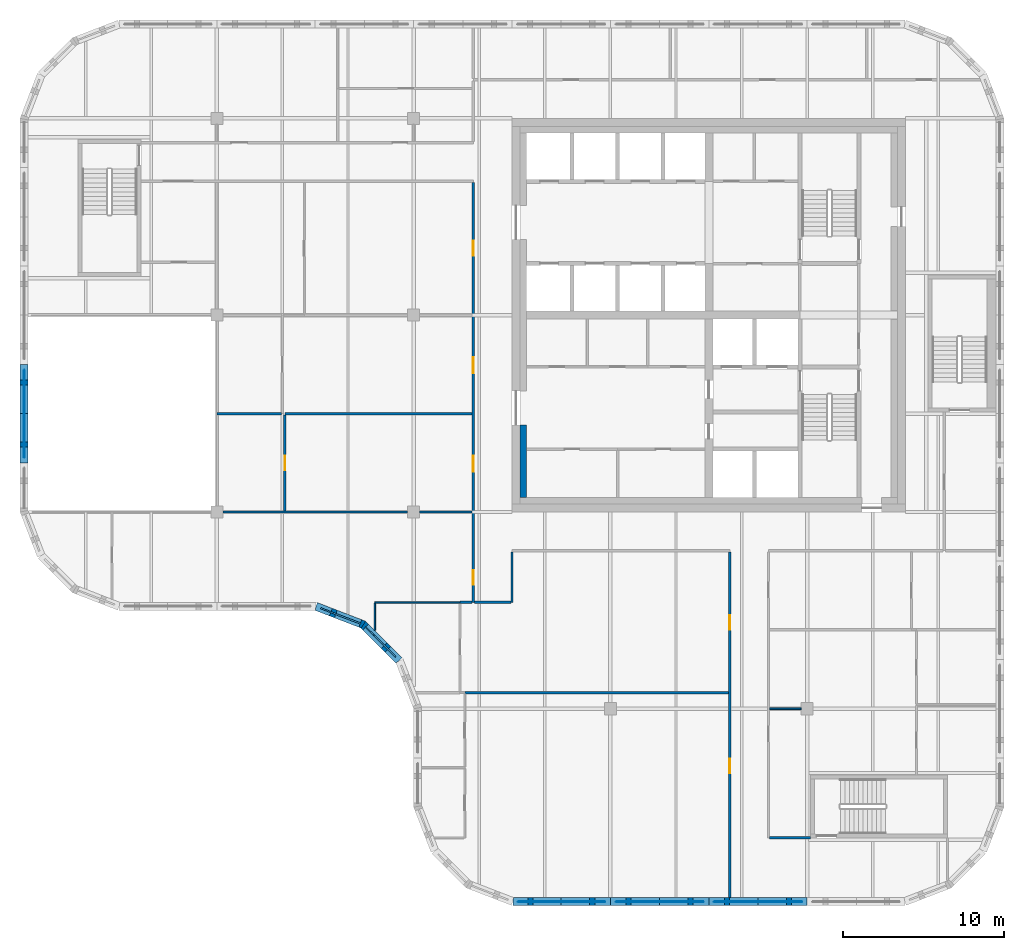
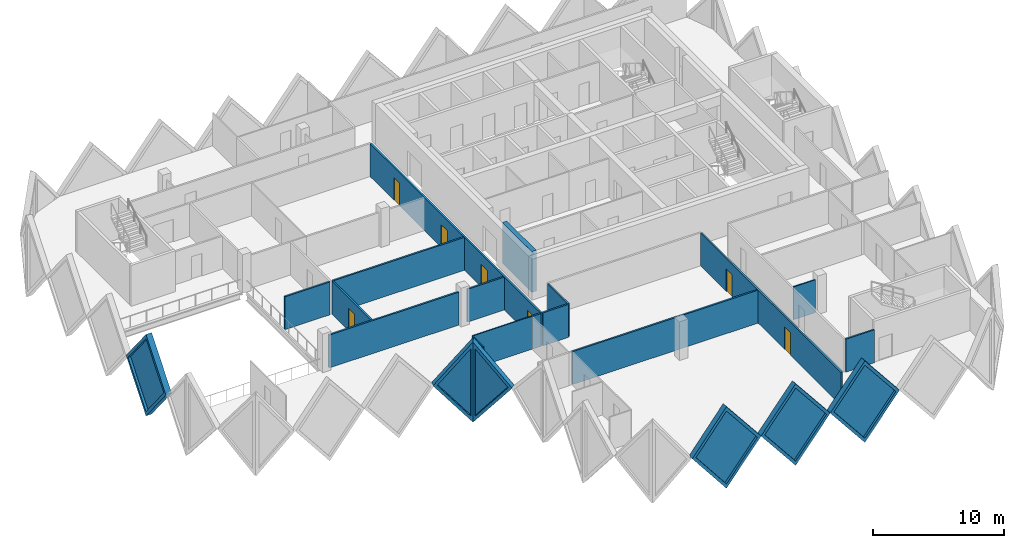
# One storey, part 4 of 12: 22 walls, 7 doors, 6 plates, 13 openings.
"""IFC4 building model written with IfcOpenShell, lengths in metres."""

from ifc_helpers import new_model, si_unit, direction, frame, frame_2d, origin, place, context, subcontext, project, spatial, polyline, rectangle, outline, extrude, faceted_brep, source, transform, mapped, material, layer, layer_set, type_object, element, fill, save


model = new_model("IFC4")

# Units and contexts
model_context = context("Model", 3, precision=1e-05, world=origin(), true_north=direction((0.0, 1.0)))
body_context = subcontext(model_context, "Body", "Model", "MODEL_VIEW")
ifc_project = project(units=[si_unit("LENGTHUNIT", "METRE"), si_unit("AREAUNIT", "SQUARE_METRE"), si_unit("VOLUMEUNIT", "CUBIC_METRE"), si_unit("PLANEANGLEUNIT", "RADIAN"), si_unit("MASSUNIT", "GRAM", prefix="KILO")], contexts=[model_context])

# Site, building, storey
site_placement = place(None, origin())
site = spatial("IfcSite", under=ifc_project, at=site_placement, CompositionType="ELEMENT")
building_placement = place(site_placement, origin())
building = spatial("IfcBuilding", under=site, at=building_placement, Name="Tessera Gate Towers", CompositionType="ELEMENT")
storey_placement = place(building_placement, frame((0.0, 0.0, 216.89990234375)))
storey = spatial("IfcBuildingStorey", under=building, at=storey_placement, Name="L54", CompositionType="ELEMENT", Elevation=216.89990234375)

# Wall
ifc_material_1 = material(Name="Concrete C50/60", Category="concrete")
ifc_layer_1 = layer(ifc_material_1, 0.39990234375)
ifc_layer_set_1 = layer_set([ifc_layer_1], Name="CORE WALL THICKENING 400")
wall_type_1 = type_object("IfcWallType", Name="CORE WALL THICKENING 400", PredefinedType="SOLIDWALL", material=ifc_layer_set_1)
wall_1_placement = place(storey_placement, frame((31.199951171875, 25.300048828125, 0.0), z_axis=(0.0, 0.0, 1.0), x_axis=(0.0, 1.0, 0.0)))
element("IfcWall", 1, at=wall_1_placement, inside=storey, type_object=wall_type_1, Name="Core wall thickening W L54", PredefinedType="SOLIDWALL", context=body_context, shape_type="SweptSolid", body=[
    extrude(rectangle(XDim=4.5, YDim=0.39990234375, at=frame_2d((2.25, 0.0))), origin(), (0.0, 0.0, 1.0), 3.800048828125),
])

# Wall, openings, doors
ifc_material_2 = material(Name="Gypsum board on steel studs, mineral wool", Category="steel")
ifc_layer_2 = layer(ifc_material_2, 0.14990234375)
ifc_layer_set_2 = layer_set([ifc_layer_2], Name="CORRIDOR WALL 150")
wall_type_2 = type_object("IfcWallType", Name="CORRIDOR WALL 150", PredefinedType="PARTITIONING", material=ifc_layer_set_2)
wall_2_placement = place(storey_placement, frame((44.0, 0.5, 0.0), z_axis=(0.0, 0.0, 1.0), x_axis=(0.0, 1.0, 0.0)))
wall_2 = element("IfcWall", 2, at=wall_2_placement, inside=storey, type_object=wall_type_2, Name="T1-L54-PW-001", PredefinedType="PARTITIONING", context=body_context, shape_type="SweptSolid", body=[
    extrude(rectangle(XDim=21.424072265625, YDim=0.14990234375, at=frame_2d((10.7119140625, 0.0))), origin(), (0.0, 0.0, 1.0), 3.067138671875),
])
shared_shape_1 = source(origin(), body_context, "Body", "SweptSolid", [
    extrude(rectangle(XDim=0.89990234375, YDim=2.10009765625, at=frame_2d((0.449951171875, 1.050048828125))), frame((0.0, 0.0849609375, 0.0), z_axis=(0.0, -1.0, 0.0), x_axis=(1.0, 0.0, 0.0)), (0.0, 0.0, 1.0), 0.169921875),
])
opening_1_placement = place(wall_2_placement, frame((16.60107421875, 0.0, 0.0)))
opening_1 = element("IfcOpeningElement", 3, at=opening_1_placement, cuts=wall_2, Name="Opening D890FD60-A19-07", PredefinedType="OPENING", context=body_context, shape_type="MappedRepresentation", body=[
    mapped(shared_shape_1, transform((0.0, 0.0, 0.0), scale=1.0)),
])
opening_2_placement = place(wall_2_placement, frame((7.699951171875, 0.0, 0.0)))
opening_2 = element("IfcOpeningElement", 4, at=opening_2_placement, cuts=wall_2, Name="Opening D890FD60-A19-08", PredefinedType="OPENING", context=body_context, shape_type="MappedRepresentation", body=[
    mapped(shared_shape_1, transform((0.0, 0.0, 0.0), scale=1.0)),
])
ifc_material_3 = material(Name="Timber door leaf in steel frame", Category="steel")
door_type_1 = type_object("IfcDoorType", Name="CORRIDOR DOOR 900 FD60", OperationType="NOTDEFINED", PredefinedType="DOOR", material=ifc_material_3)
shared_shape_2 = source(origin(), body_context, "Body", "SweptSolid", [
    extrude(rectangle(XDim=0.89990234375, YDim=2.10009765625, at=frame_2d((0.449951171875, 1.050048828125))), frame((0.0, 0.02490234375, 0.0), z_axis=(0.0, -1.0, 0.0), x_axis=(1.0, 0.0, 0.0)), (0.0, 0.0, 1.0), 0.050048828125),
])
door_1_placement = place(opening_1_placement, origin())
door_1 = element("IfcDoor", 5, at=door_1_placement, inside=storey, type_object=door_type_1, Name="T1-L54-PD-022", OperationType="SINGLE_SWING_LEFT", OverallHeight=2.10009765625, OverallWidth=0.89990234375, PredefinedType="DOOR", context=body_context, shape_type="MappedRepresentation", body=[
    mapped(shared_shape_2, transform((0.0, 0.0, 0.0), scale=1.0)),
])
fill(opening_1, door_1)
door_2_placement = place(opening_2_placement, origin())
door_2 = element("IfcDoor", 6, at=door_2_placement, inside=storey, type_object=door_type_1, Name="T1-L54-PD-023", OperationType="SINGLE_SWING_LEFT", OverallHeight=2.10009765625, OverallWidth=0.89990234375, PredefinedType="DOOR", context=body_context, shape_type="MappedRepresentation", body=[
    mapped(shared_shape_2, transform((0.0, 0.0, 0.0), scale=1.0)),
])
fill(opening_2, door_2)

# Wall
wall_3_placement = place(storey_placement, frame((46.47607421875, 4.199951171875, 0.0), z_axis=(0.0, 0.0, 1.0), x_axis=(1.0, 0.0, 0.0)))
element("IfcWall", 7, at=wall_3_placement, inside=storey, type_object=wall_type_2, Name="T1-L54-PW-006", PredefinedType="PARTITIONING", context=body_context, shape_type="SweptSolid", body=[
    extrude(rectangle(XDim=2.52392578125, YDim=0.14990234375, at=frame_2d((1.261962890625, 0.0))), origin(), (0.0, 0.0, 1.0), 3.067138671875),
])

# Wall, openings, doors
wall_4_placement = place(storey_placement, frame((28.10009765625, 18.800048828125, 0.0), z_axis=(0.0, 0.0, 1.0), x_axis=(0.0, 1.0, 0.0)))
wall_4 = element("IfcWall", 8, at=wall_4_placement, inside=storey, type_object=wall_type_2, Name="T1-L54-PW-024", PredefinedType="PARTITIONING", context=body_context, shape_type="SweptSolid", body=[
    extrude(rectangle(XDim=26.02392578125, YDim=0.14990234375, at=frame_2d((13.011962890625, 0.0))), origin(), (0.0, 0.0, 1.0), 3.067138671875),
])
opening_3_placement = place(wall_4_placement, frame((1.10009765625, 0.0, 0.0)))
opening_3 = element("IfcOpeningElement", 9, at=opening_3_placement, cuts=wall_4, Name="Opening D890FD60-A19-01", PredefinedType="OPENING", context=body_context, shape_type="MappedRepresentation", body=[
    mapped(shared_shape_1, transform((0.0, 0.0, 0.0), scale=1.0)),
])
shared_shape_3 = source(origin(), body_context, "Body", "SweptSolid", [
    extrude(rectangle(XDim=1.0, YDim=2.10009765625, at=frame_2d((0.5, 1.050048828125))), frame((0.0, 0.0849609375, 0.0), z_axis=(0.0, -1.0, 0.0), x_axis=(1.0, 0.0, 0.0)), (0.0, 0.0, 1.0), 0.169921875),
])
opening_4_placement = place(wall_4_placement, frame((14.200927734375, 0.0, 0.0)))
opening_4 = element("IfcOpeningElement", 10, at=opening_4_placement, cuts=wall_4, Name="Opening D2100FD60-A19-01", PredefinedType="OPENING", context=body_context, shape_type="MappedRepresentation", body=[
    mapped(shared_shape_3, transform((0.0, 0.0, 0.0), scale=1.0)),
])
opening_5_placement = place(wall_4_placement, frame((8.10009765625, 0.0, 0.0)))
opening_5 = element("IfcOpeningElement", 11, at=opening_5_placement, cuts=wall_4, Name="Opening D2100FD60-A19-02", PredefinedType="OPENING", context=body_context, shape_type="MappedRepresentation", body=[
    mapped(shared_shape_3, transform((0.0, 0.0, 0.0), scale=1.0)),
])
opening_6_placement = place(wall_4_placement, frame((21.5, 0.0, 0.0)))
opening_6 = element("IfcOpeningElement", 12, at=opening_6_placement, cuts=wall_4, Name="Opening D890FD60-A19-04", PredefinedType="OPENING", context=body_context, shape_type="MappedRepresentation", body=[
    mapped(shared_shape_1, transform((0.0, 0.0, 0.0), scale=1.0)),
])
door_3_placement = place(opening_3_placement, origin())
door_3 = element("IfcDoor", 13, at=door_3_placement, inside=storey, type_object=door_type_1, Name="T1-L54-PD-001", OperationType="SINGLE_SWING_LEFT", OverallHeight=2.10009765625, OverallWidth=0.89990234375, PredefinedType="DOOR", context=body_context, shape_type="MappedRepresentation", body=[
    mapped(shared_shape_2, transform((0.0, 0.0, 0.0), scale=1.0)),
])
fill(opening_3, door_3)
door_4_placement = place(opening_6_placement, origin())
door_4 = element("IfcDoor", 14, at=door_4_placement, inside=storey, type_object=door_type_1, Name="T1-L54-PD-018", OperationType="SINGLE_SWING_LEFT", OverallHeight=2.10009765625, OverallWidth=0.89990234375, PredefinedType="DOOR", context=body_context, shape_type="MappedRepresentation", body=[
    mapped(shared_shape_2, transform((0.0, 0.0, 0.0), scale=1.0)),
])
fill(opening_6, door_4)
ifc_material_4 = material(Name="Timber door leaf in steel frame", Category="steel")
door_type_2 = type_object("IfcDoorType", Name="TENANCY ENTRANCE DOOR 1000 FD60", OperationType="NOTDEFINED", PredefinedType="DOOR", material=ifc_material_4)
shared_shape_4 = source(origin(), body_context, "Body", "SweptSolid", [
    extrude(rectangle(XDim=1.0, YDim=2.10009765625, at=frame_2d((0.5, 1.050048828125))), frame((0.0, 0.02490234375, 0.0), z_axis=(0.0, -1.0, 0.0), x_axis=(1.0, 0.0, 0.0)), (0.0, 0.0, 1.0), 0.050048828125),
])
door_5_placement = place(opening_4_placement, origin())
door_5 = element("IfcDoor", 15, at=door_5_placement, inside=storey, type_object=door_type_2, Name="T1-L54-PD-012", OperationType="SINGLE_SWING_LEFT", OverallHeight=2.10009765625, OverallWidth=1.0, PredefinedType="DOOR", context=body_context, shape_type="MappedRepresentation", body=[
    mapped(shared_shape_4, transform((0.0, 0.0, 0.0), scale=1.0)),
])
fill(opening_4, door_5)
door_6_placement = place(opening_5_placement, origin())
door_6 = element("IfcDoor", 16, at=door_6_placement, inside=storey, type_object=door_type_2, Name="T1-L54-PD-013", OperationType="SINGLE_SWING_LEFT", OverallHeight=2.10009765625, OverallWidth=1.0, PredefinedType="DOOR", context=body_context, shape_type="MappedRepresentation", body=[
    mapped(shared_shape_4, transform((0.0, 0.0, 0.0), scale=1.0)),
])
fill(opening_5, door_6)

# Walls
wall_5_placement = place(storey_placement, frame((28.176025390625, 18.800048828125, 0.0), z_axis=(0.0, 0.0, 1.0), x_axis=(1.0, 0.0, 0.0)))
element("IfcWall", 17, at=wall_5_placement, inside=storey, type_object=wall_type_2, Name="T1-L54-PW-025", PredefinedType="PARTITIONING", context=body_context, shape_type="SweptSolid", body=[
    extrude(rectangle(XDim=2.248046875, YDim=0.14990234375, at=frame_2d((1.1240234375, 0.0))), origin(), (0.0, 0.0, 1.0), 3.067138671875),
])
wall_6_placement = place(storey_placement, frame((30.5, 18.800048828125, 0.0), z_axis=(0.0, 0.0, 1.0), x_axis=(0.0, 1.0, 0.0)))
element("IfcWall", 18, at=wall_6_placement, inside=storey, type_object=wall_type_2, Name="T1-L54-PW-026", PredefinedType="PARTITIONING", context=body_context, shape_type="SweptSolid", body=[
    extrude(rectangle(XDim=3.1240234375, YDim=0.14990234375, at=frame_2d((1.56201171875, 0.0))), origin(), (0.0, 0.0, 1.0), 3.067138671875),
])
ifc_material_5 = material(Name="Glass", Category="glass")
ifc_layer_3 = layer(ifc_material_5, 0.10009765625)
ifc_layer_set_3 = layer_set([ifc_layer_3], Name="GLAZED PARTITION 100")
wall_type_3 = type_object("IfcWallType", Name="GLAZED PARTITION 100", PredefinedType="PARTITIONING", material=ifc_layer_set_3)
wall_7_placement = place(storey_placement, frame((22.0, 17.054931640625, 0.0), z_axis=(0.0, 0.0, 1.0), x_axis=(0.0, 1.0, 0.0)))
element("IfcWall", 19, at=wall_7_placement, inside=storey, type_object=wall_type_3, Name="T1-L54-PW-017", PredefinedType="PARTITIONING", context=body_context, shape_type="SweptSolid", body=[
    extrude(rectangle(XDim=1.694091796875, YDim=0.10009765625, at=frame_2d((0.84716796875, 0.0))), origin(), (0.0, 0.0, 1.0), 3.067138671875),
])
wall_8_placement = place(storey_placement, frame((22.0, 18.800048828125, 0.0), z_axis=(0.0, 0.0, 1.0), x_axis=(1.0, 0.0, 0.0)))
element("IfcWall", 20, at=wall_8_placement, inside=storey, type_object=wall_type_3, Name="T1-L54-PW-022", PredefinedType="PARTITIONING", context=body_context, shape_type="SweptSolid", body=[
    extrude(rectangle(XDim=5.27392578125, YDim=0.10009765625, at=frame_2d((2.636962890625, 0.0))), origin(), (0.0, 0.0, 1.0), 3.067138671875),
])
ifc_material_6 = material(Name="Gypsum board on steel studs", Category="steel")
ifc_layer_4 = layer(ifc_material_6, 0.10009765625)
ifc_layer_set_4 = layer_set([ifc_layer_4], Name="PARTITION 100")
wall_type_4 = type_object("IfcWallType", Name="PARTITION 100", PredefinedType="PARTITIONING", material=ifc_layer_set_4)
wall_9_placement = place(storey_placement, frame((48.425048828125, 12.199951171875, 0.0), z_axis=(0.0, 0.0, 1.0), x_axis=(-1.0, 0.0, 0.0)))
element("IfcWall", 21, at=wall_9_placement, inside=storey, type_object=wall_type_4, Name="T1-L54-PW-010", PredefinedType="PARTITIONING", context=body_context, shape_type="SweptSolid", body=[
    extrude(rectangle(XDim=1.949951171875, YDim=0.10009765625, at=frame_2d((0.97509765625, 0.0))), origin(), (0.0, 0.0, 1.0), 3.067138671875),
])
ifc_material_7 = material(Name="Gypsum board on steel studs, mineral wool", Category="steel")
ifc_layer_5 = layer(ifc_material_7, 0.14990234375)
ifc_layer_set_5 = layer_set([ifc_layer_5], Name="TENANCY WALL 150")
wall_type_5 = type_object("IfcWallType", Name="TENANCY WALL 150", PredefinedType="PARTITIONING", material=ifc_layer_set_5)
wall_10_placement = place(storey_placement, frame((27.574951171875, 13.199951171875, 0.0), z_axis=(0.0, 0.0, 1.0), x_axis=(1.0, 0.0, 0.0)))
element("IfcWall", 22, at=wall_10_placement, inside=storey, type_object=wall_type_5, Name="T1-L54-PW-015", PredefinedType="PARTITIONING", context=body_context, shape_type="SweptSolid", body=[
    extrude(rectangle(XDim=16.34912109375, YDim=0.14990234375, at=frame_2d((8.174560546875, 0.0))), origin(), (0.0, 0.0, 1.0), 3.067138671875),
])
wall_11_placement = place(storey_placement, frame((27.27490234375, 18.800048828125, 0.0), z_axis=(0.0, 0.0, 1.0), x_axis=(1.0, 0.0, 0.0)))
element("IfcWall", 23, at=wall_11_placement, inside=storey, type_object=wall_type_5, Name="T1-L54-PW-023", PredefinedType="PARTITIONING", context=body_context, shape_type="SweptSolid", body=[
    extrude(rectangle(XDim=0.7490234375, YDim=0.14990234375, at=frame_2d((0.37451171875, 0.0))), origin(), (0.0, 0.0, 1.0), 3.067138671875),
])
wall_12_placement = place(storey_placement, frame((12.575927734375, 24.39990234375, 0.0), z_axis=(0.0, 0.0, 1.0), x_axis=(1.0, 0.0, 0.0)))
element("IfcWall", 24, at=wall_12_placement, inside=storey, type_object=wall_type_5, Name="T1-L54-PW-032", PredefinedType="PARTITIONING", context=body_context, shape_type="SweptSolid", body=[
    extrude(rectangle(XDim=11.447998046875, YDim=0.14990234375, at=frame_2d((5.72412109375, 0.0))), origin(), (0.0, 0.0, 1.0), 3.067138671875),
])
wall_13_placement = place(storey_placement, frame((24.77587890625, 24.39990234375, 0.0), z_axis=(0.0, 0.0, 1.0), x_axis=(1.0, 0.0, 0.0)))
element("IfcWall", 25, at=wall_13_placement, inside=storey, type_object=wall_type_5, Name="T1-L54-PW-033", PredefinedType="PARTITIONING", context=body_context, shape_type="SweptSolid", body=[
    extrude(rectangle(XDim=3.248046875, YDim=0.14990234375, at=frame_2d((1.6240234375, 0.0))), origin(), (0.0, 0.0, 1.0), 3.067138671875),
])

# Wall, opening, door
wall_14_placement = place(storey_placement, frame((16.425048828125, 24.47607421875, 0.0), z_axis=(0.0, 0.0, 1.0), x_axis=(0.0, 1.0, 0.0)))
wall_14 = element("IfcWall", 26, at=wall_14_placement, inside=storey, type_object=wall_type_5, Name="T1-L54-PW-034", PredefinedType="PARTITIONING", context=body_context, shape_type="SweptSolid", body=[
    extrude(rectangle(XDim=5.947998046875, YDim=0.14990234375, at=frame_2d((2.97412109375, 0.0))), origin(), (0.0, 0.0, 1.0), 3.067138671875),
])
opening_7_placement = place(wall_14_placement, frame((2.5, 0.0, 0.0)))
opening_7 = element("IfcOpeningElement", 27, at=opening_7_placement, cuts=wall_14, Name="Opening D190-A19-04", PredefinedType="OPENING", context=body_context, shape_type="MappedRepresentation", body=[
    mapped(shared_shape_1, transform((0.0, 0.0, 0.0), scale=1.0)),
])
ifc_material_8 = material(Name="Timber door leaf in steel frame", Category="steel")
door_type_3 = type_object("IfcDoorType", Name="INTERNAL DOOR 900 NOT RATED", OperationType="NOTDEFINED", PredefinedType="DOOR", material=ifc_material_8)
door_7_placement = place(opening_7_placement, origin())
door_7 = element("IfcDoor", 28, at=door_7_placement, inside=storey, type_object=door_type_3, Name="T1-L54-PD-011", OperationType="SINGLE_SWING_LEFT", OverallHeight=2.10009765625, OverallWidth=0.89990234375, PredefinedType="DOOR", context=body_context, shape_type="MappedRepresentation", body=[
    mapped(shared_shape_2, transform((0.0, 0.0, 0.0), scale=1.0)),
])
fill(opening_7, door_7)

# Walls
wall_15_placement = place(storey_placement, frame((12.199951171875, 30.5, 0.0), z_axis=(0.0, 0.0, 1.0), x_axis=(1.0, 0.0, 0.0)))
element("IfcWall", 29, at=wall_15_placement, inside=storey, type_object=wall_type_5, Name="T1-L54-PW-035", PredefinedType="PARTITIONING", context=body_context, shape_type="SweptSolid", body=[
    extrude(rectangle(XDim=3.9990234375, YDim=0.14990234375, at=frame_2d((1.99951171875, 0.0))), origin(), (0.0, 0.0, 1.0), 3.067138671875),
])
wall_16_placement = place(storey_placement, frame((16.425048828125, 30.5, 0.0), z_axis=(0.0, 0.0, 1.0), x_axis=(1.0, 0.0, 0.0)))
element("IfcWall", 30, at=wall_16_placement, inside=storey, type_object=wall_type_5, Name="T1-L54-PW-037", PredefinedType="PARTITIONING", context=body_context, shape_type="SweptSolid", body=[
    extrude(rectangle(XDim=11.598876953125, YDim=0.14990234375, at=frame_2d((5.79931640625, 0.0))), origin(), (0.0, 0.0, 1.0), 3.067138671875),
])

# Wall, opening, plate
ifc_material_9 = material(Name="Precast concrete C60/75 white", Category="concrete")
ifc_layer_6 = layer(ifc_material_9, 0.5)
ifc_layer_set_6 = layer_set([ifc_layer_6], Name="TS1 tessera")
wall_type_6 = type_object("IfcWallType", Name="TS1 tessera", PredefinedType="SOLIDWALL", material=ifc_layer_set_6)
shared_shape_5 = source(origin(), body_context, "Body", "Brep", [
    faceted_brep([(3.050048828125, -0.25, 0.0), (6.099853515625, -0.25, 3.799560546875), (6.099853515625, -0.25, 3.800048828125), (3.050048828125, -0.25, 7.599853515625), (0.0, -0.25, 3.7998046875), (0.0, 0.25, 3.7998046875), (3.050048828125, 0.25, 7.599853515625), (6.099853515625, 0.25, 3.800048828125), (6.099853515625, 0.25, 3.799560546875), (3.050048828125, 0.25, 0.0)], [[[0, 1, 2, 3, 4]], [[5, 6, 7, 8, 9]], [[9, 8, 1, 0]], [[7, 6, 3, 2]], [[6, 5, 4, 3]], [[5, 9, 0, 4]], [[1, 8, 7, 2]]]),
])
wall_17_placement = place(storey_placement, frame((36.60009765625, 0.25, -3.7998046875), z_axis=(0.0, 0.0, 1.0), x_axis=(1.0, 0.0, 0.0)))
wall_17 = element("IfcWall", 31, at=wall_17_placement, inside=storey, type_object=wall_type_6, Name="Precast tessera T1 TS1-0944", PredefinedType="SOLIDWALL", context=body_context, shape_type="MappedRepresentation", body=[
    mapped(shared_shape_5, transform((0.0, 0.0, 0.0), scale=1.0)),
])
shared_shape_6 = source(origin(), body_context, "Body", "SweptSolid", [
    extrude(outline(polyline([(3.050048828125, 0.3994140625), (5.779541015625, 3.7998046875), (3.050048828125, 7.200439453125), (0.320556640625, 3.7998046875), (3.050048828125, 0.3994140625)])), frame((0.0, 0.260009765625, 0.0), z_axis=(0.0, -1.0, 0.0), x_axis=(1.0, 0.0, 0.0)), (0.0, 0.0, 1.0), 0.52001953125),
])
opening_8_placement = place(wall_17_placement, origin())
opening_8 = element("IfcOpeningElement", 32, at=opening_8_placement, cuts=wall_17, Name="Opening T1-PL2-1928", PredefinedType="OPENING", context=body_context, shape_type="MappedRepresentation", body=[
    mapped(shared_shape_6, transform((0.0, 0.0, 0.0), scale=1.0)),
])
ifc_material_10 = material(Name="Low-e laminated glass", Category="glass")
ifc_layer_7 = layer(ifc_material_10, 0.06005859375)
ifc_layer_set_7 = layer_set([ifc_layer_7], Name="PL2 rhombic pane")
plate_type = type_object("IfcPlateType", Name="PL2 rhombic pane", PredefinedType="SHEET", material=ifc_layer_set_7)
shared_shape_7 = source(origin(), body_context, "Body", "SweptSolid", [
    extrude(outline(polyline([(3.050048828125, 0.3994140625), (5.779541015625, 3.7998046875), (3.050048828125, 7.200439453125), (0.320556640625, 3.7998046875), (3.050048828125, 0.3994140625)])), frame((0.0, 0.030029296875, 0.0), z_axis=(0.0, -1.0, 0.0), x_axis=(1.0, 0.0, 0.0)), (0.0, 0.0, 1.0), 0.06005859375),
])
plate_1_placement = place(opening_8_placement, origin())
plate_1 = element("IfcPlate", 33, at=plate_1_placement, inside=storey, type_object=plate_type, Name="Glass pane T1 PL2-1928", PredefinedType="SHEET", context=body_context, shape_type="MappedRepresentation", body=[
    mapped(shared_shape_7, transform((0.0, 0.0, 0.0), scale=1.0)),
])
fill(opening_8, plate_1)

shared_shape_8 = source(origin(), body_context, "Body", "SweptSolid", [
    extrude(outline(polyline([(3.050048828125, 0.0), (6.10009765625, 3.7998046875), (3.050048828125, 7.599853515625), (0.0, 3.7998046875), (3.050048828125, 0.0)])), frame((0.0, 0.25, 0.0), z_axis=(0.0, -1.0, 0.0), x_axis=(1.0, 0.0, 0.0)), (0.0, 0.0, 1.0), 0.5),
])
wall_18_placement = place(storey_placement, frame((42.699951171875, 0.25, -3.7998046875), z_axis=(0.0, 0.0, 1.0), x_axis=(1.0, 0.0, 0.0)))
wall_18 = element("IfcWall", 34, at=wall_18_placement, inside=storey, type_object=wall_type_6, Name="Precast tessera T1 TS1-0945", PredefinedType="SOLIDWALL", context=body_context, shape_type="MappedRepresentation", body=[
    mapped(shared_shape_8, transform((0.0, 0.0, 0.0), scale=1.0)),
])
opening_9_placement = place(wall_18_placement, origin())
opening_9 = element("IfcOpeningElement", 35, at=opening_9_placement, cuts=wall_18, Name="Opening T1-PL2-1929", PredefinedType="OPENING", context=body_context, shape_type="MappedRepresentation", body=[
    mapped(shared_shape_6, transform((0.0, 0.0, 0.0), scale=1.0)),
])
plate_2_placement = place(opening_9_placement, origin())
plate_2 = element("IfcPlate", 36, at=plate_2_placement, inside=storey, type_object=plate_type, Name="Glass pane T1 PL2-1929", PredefinedType="SHEET", context=body_context, shape_type="MappedRepresentation", body=[
    mapped(shared_shape_7, transform((0.0, 0.0, 0.0), scale=1.0)),
])
fill(opening_9, plate_2)

wall_19_placement = place(storey_placement, frame((0.25, 33.550048828125, -3.7998046875), z_axis=(0.0, 0.0, 1.0), x_axis=(0.0, -1.0, 0.0)))
wall_19 = element("IfcWall", 37, at=wall_19_placement, inside=storey, type_object=wall_type_6, Name="Precast tessera T1 TS1-0963", PredefinedType="SOLIDWALL", context=body_context, shape_type="MappedRepresentation", body=[
    mapped(shared_shape_8, transform((0.0, 0.0, 0.0), scale=1.0)),
])
opening_10_placement = place(wall_19_placement, origin())
opening_10 = element("IfcOpeningElement", 38, at=opening_10_placement, cuts=wall_19, Name="Opening T1-PL2-1959", PredefinedType="OPENING", context=body_context, shape_type="MappedRepresentation", body=[
    mapped(shared_shape_6, transform((0.0, 0.0, 0.0), scale=1.0)),
])
plate_3_placement = place(opening_10_placement, origin())
plate_3 = element("IfcPlate", 39, at=plate_3_placement, inside=storey, type_object=plate_type, Name="Glass pane T1 PL2-1959", PredefinedType="SHEET", context=body_context, shape_type="MappedRepresentation", body=[
    mapped(shared_shape_7, transform((0.0, 0.0, 0.0), scale=1.0)),
])
fill(opening_10, plate_3)

shared_shape_9 = source(origin(), body_context, "Body", "Brep", [
    faceted_brep([(3.00341796875, -0.25, 0.0), (6.053466796875, -0.25, 3.7998046875), (3.00341796875, -0.25, 7.599853515625), (0.0, -0.25, 3.7998046875), (0.046630859375, 0.25, 3.858642578125), (3.00341796875, 0.25, 7.599853515625), (6.053466796875, 0.25, 3.7998046875), (3.00341796875, 0.25, 0.0), (0.046630859375, 0.25, 3.740966796875), (0.0, 0.0, 3.7998046875)], [[[0, 1, 2, 3]], [[4, 5, 6, 7, 8]], [[7, 6, 1, 0]], [[6, 5, 2, 1]], [[5, 4, 9, 3, 2]], [[8, 7, 0, 3, 9]], [[8, 9, 4]]]),
])
wall_20_placement = place(storey_placement, frame((30.546630859375, 0.25, -3.7998046875), z_axis=(0.0, 0.0, 1.0), x_axis=(1.0, 0.0, 0.0)))
wall_20 = element("IfcWall", 40, at=wall_20_placement, inside=storey, type_object=wall_type_6, Name="Precast tessera T1 TS1-0943", PredefinedType="SOLIDWALL", context=body_context, shape_type="MappedRepresentation", body=[
    mapped(shared_shape_9, transform((0.0, 0.0, 0.0), scale=1.0)),
])
shared_shape_10 = source(origin(), body_context, "Body", "SweptSolid", [
    extrude(outline(polyline([(3.0048828125, 0.401123046875), (5.73291015625, 3.7998046875), (3.0048828125, 7.19873046875), (0.318603515625, 3.7998046875), (3.0048828125, 0.401123046875)])), frame((0.0, 0.260009765625, 0.0), z_axis=(0.0, -1.0, 0.0), x_axis=(1.0, 0.0, 0.0)), (0.0, 0.0, 1.0), 0.52001953125),
])
opening_11_placement = place(wall_20_placement, origin())
opening_11 = element("IfcOpeningElement", 41, at=opening_11_placement, cuts=wall_20, Name="Opening T1-PL2-1927", PredefinedType="OPENING", context=body_context, shape_type="MappedRepresentation", body=[
    mapped(shared_shape_10, transform((0.0, 0.0, 0.0), scale=1.0)),
])
shared_shape_11 = source(origin(), body_context, "Body", "SweptSolid", [
    extrude(outline(polyline([(3.0048828125, 0.401123046875), (5.73291015625, 3.7998046875), (3.0048828125, 7.19873046875), (0.318603515625, 3.7998046875), (3.0048828125, 0.401123046875)])), frame((0.0, 0.030029296875, 0.0), z_axis=(0.0, -1.0, 0.0), x_axis=(1.0, 0.0, 0.0)), (0.0, 0.0, 1.0), 0.06005859375),
])
plate_4_placement = place(opening_11_placement, origin())
plate_4 = element("IfcPlate", 42, at=plate_4_placement, inside=storey, type_object=plate_type, Name="Glass pane T1 PL2-1927", PredefinedType="SHEET", context=body_context, shape_type="MappedRepresentation", body=[
    mapped(shared_shape_11, transform((0.0, 0.0, 0.0), scale=1.0)),
])
fill(opening_11, plate_4)

ifc_material_11 = material(Name="Precast concrete C60/75 white", Category="concrete")
ifc_layer_8 = layer(ifc_material_11, 0.5)
ifc_layer_set_8 = layer_set([ifc_layer_8], Name="TS3 corner tessera")
wall_type_7 = type_object("IfcWallType", Name="TS3 corner tessera", PredefinedType="SOLIDWALL", material=ifc_layer_set_8)
shared_shape_12 = source(origin(), body_context, "Body", "Brep", [
    faceted_brep([(3.096435546875, -0.25, 7.5361328125), (0.046630859375, -0.25, 3.85595703125), (0.046630859375, -0.25, 3.74365234375), (3.096435546875, -0.25, 0.063720703125), (0.0, 0.25, 3.7998046875), (3.1494140625, 0.25, 7.599853515625), (3.202392578125, 0.25, 7.5361328125), (3.202392578125, 0.25, 0.063720703125), (3.1494140625, 0.25, 0.0), (3.1494140625, -0.000244140625, 0.0), (3.1494140625, -0.000244140625, 7.599853515625), (0.0, 0.0, 3.7998046875)], [[[0, 1, 2, 3]], [[4, 5, 6, 7, 8]], [[8, 7, 9]], [[6, 5, 10]], [[5, 4, 11, 1, 0, 10]], [[4, 8, 9, 3, 2, 11]], [[11, 2, 1]], [[3, 9, 7, 6, 10, 0]]]),
])
wall_21_placement = place(storey_placement, frame((18.346435546875, 18.550048828125, -3.7998046875), z_axis=(0.0, 0.0, 1.0), x_axis=(0.932985567668, -0.359913782069, 0.0)))
wall_21 = element("IfcWall", 43, at=wall_21_placement, inside=storey, type_object=wall_type_7, Name="Precast corner tessera T1 TS3-1265", PredefinedType="SOLIDWALL", context=body_context, shape_type="MappedRepresentation", body=[
    mapped(shared_shape_12, transform((0.0, 0.0, 0.0), scale=1.0)),
])
shared_shape_13 = source(origin(), body_context, "Body", "SweptSolid", [
    extrude(outline(polyline([(2.949462890625, 6.966796875), (0.32470703125, 3.7998046875), (2.949462890625, 0.633056640625), (2.949462890625, 6.966796875)])), frame((0.0, 0.260009765625, 0.0), z_axis=(0.0, -1.0, 0.0), x_axis=(1.0, 0.0, 0.0)), (0.0, 0.0, 1.0), 0.52001953125),
])
opening_12_placement = place(wall_21_placement, origin())
opening_12 = element("IfcOpeningElement", 44, at=opening_12_placement, cuts=wall_21, Name="Opening T1-PL2-1966", PredefinedType="OPENING", context=body_context, shape_type="MappedRepresentation", body=[
    mapped(shared_shape_13, transform((0.0, 0.0, 0.0), scale=1.0)),
])
shared_shape_14 = source(origin(), body_context, "Body", "SweptSolid", [
    extrude(outline(polyline([(2.949462890625, 6.966796875), (0.32470703125, 3.7998046875), (2.949462890625, 0.633056640625), (2.949462890625, 6.966796875)])), frame((0.0, 0.030029296875, 0.0), z_axis=(0.0, -1.0, 0.0), x_axis=(1.0, 0.0, 0.0)), (0.0, 0.0, 1.0), 0.06005859375),
])
plate_5_placement = place(opening_12_placement, origin())
plate_5 = element("IfcPlate", 45, at=plate_5_placement, inside=storey, type_object=plate_type, Name="Glass pane T1 PL2-1966", PredefinedType="SHEET", context=body_context, shape_type="MappedRepresentation", body=[
    mapped(shared_shape_14, transform((0.0, 0.0, 0.0), scale=1.0)),
])
fill(opening_12, plate_5)

shared_shape_15 = source(origin(), body_context, "Body", "Brep", [
    faceted_brep([(0.10595703125, -0.25, 0.063720703125), (3.156005859375, -0.25, 3.736083984375), (3.156005859375, -0.25, 3.863525390625), (0.10595703125, -0.25, 7.5361328125), (0.0, 0.25, 7.535888671875), (0.052978515625, 0.25, 7.599853515625), (3.208740234375, 0.25, 3.7998046875), (0.052978515625, 0.25, 0.0), (0.0, 0.25, 0.06396484375), (3.208740234375, -0.00048828125, 3.7998046875), (0.052978515625, 0.0, 0.0), (0.052978515625, 0.0, 7.599853515625)], [[[0, 1, 2, 3]], [[4, 5, 6, 7, 8]], [[7, 6, 9, 1, 0, 10]], [[6, 5, 11, 3, 2, 9]], [[5, 4, 11]], [[8, 7, 10]], [[8, 10, 0, 3, 11, 4]], [[1, 9, 2]]]),
])
wall_22_placement = place(storey_placement, frame((21.24755859375, 17.453857421875, -3.7998046875), z_axis=(0.0, 0.0, 1.0), x_axis=(0.707106781187, -0.707106781187, 0.0)))
wall_22 = element("IfcWall", 46, at=wall_22_placement, inside=storey, type_object=wall_type_7, Name="Precast corner tessera T1 TS3-1266", PredefinedType="SOLIDWALL", context=body_context, shape_type="MappedRepresentation", body=[
    mapped(shared_shape_15, transform((0.0, 0.0, 0.0), scale=1.0)),
])
shared_shape_16 = source(origin(), body_context, "Body", "SweptSolid", [
    extrude(outline(polyline([(0.2529296875, 0.632080078125), (2.8837890625, 3.7998046875), (0.2529296875, 6.9677734375), (0.2529296875, 0.632080078125)])), frame((0.0, 0.260009765625, 0.0), z_axis=(0.0, -1.0, 0.0), x_axis=(1.0, 0.0, 0.0)), (0.0, 0.0, 1.0), 0.52001953125),
])
opening_13_placement = place(wall_22_placement, origin())
opening_13 = element("IfcOpeningElement", 47, at=opening_13_placement, cuts=wall_22, Name="Opening T1-PL2-1967", PredefinedType="OPENING", context=body_context, shape_type="MappedRepresentation", body=[
    mapped(shared_shape_16, transform((0.0, 0.0, 0.0), scale=1.0)),
])
shared_shape_17 = source(origin(), body_context, "Body", "SweptSolid", [
    extrude(outline(polyline([(0.2529296875, 0.632080078125), (2.8837890625, 3.7998046875), (0.2529296875, 6.9677734375), (0.2529296875, 0.632080078125)])), frame((0.0, 0.030029296875, 0.0), z_axis=(0.0, -1.0, 0.0), x_axis=(1.0, 0.0, 0.0)), (0.0, 0.0, 1.0), 0.06005859375),
])
plate_6_placement = place(opening_13_placement, origin())
plate_6 = element("IfcPlate", 48, at=plate_6_placement, inside=storey, type_object=plate_type, Name="Glass pane T1 PL2-1967", PredefinedType="SHEET", context=body_context, shape_type="MappedRepresentation", body=[
    mapped(shared_shape_17, transform((0.0, 0.0, 0.0), scale=1.0)),
])
fill(opening_13, plate_6)

save(model, "model.ifc")
